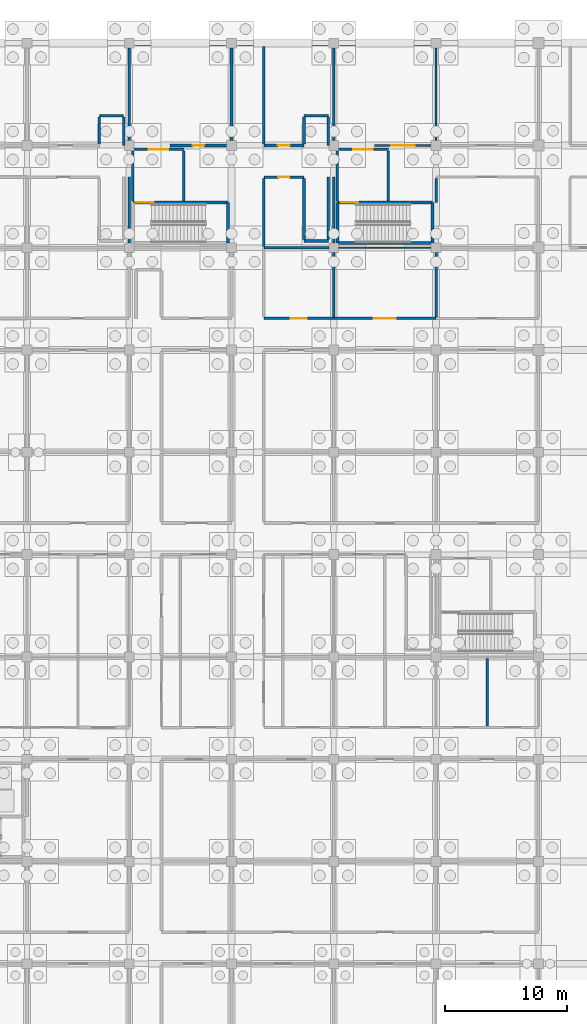
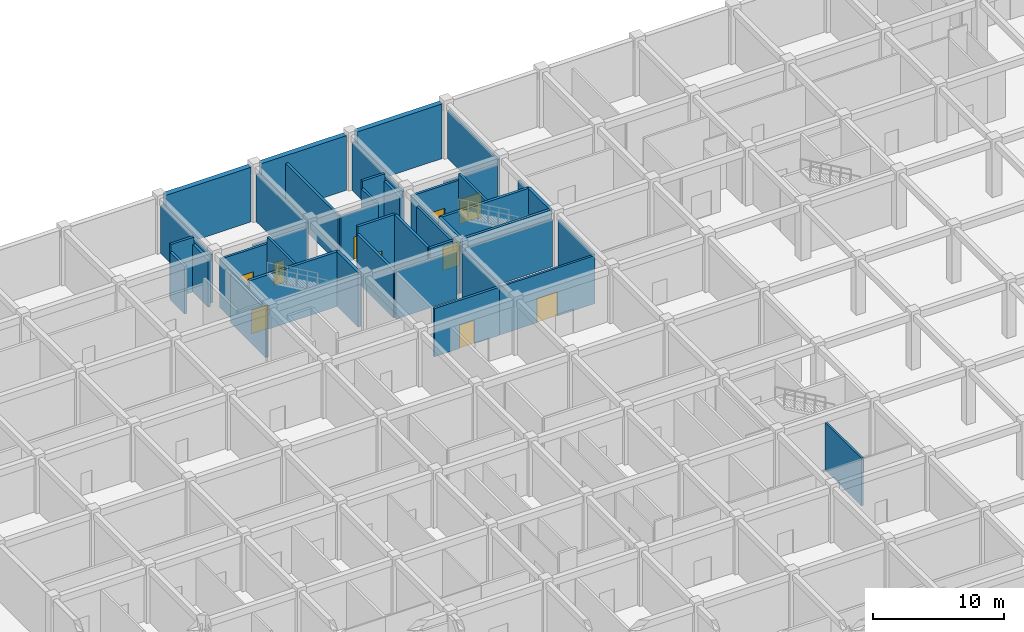
# One storey, part 40 of 65: 44 walls, 10 doors, 10 openings.
"""IFC4 building model written with IfcOpenShell, lengths in metres."""

from ifc_helpers import new_model, si_unit, direction, frame, frame_2d, origin, place, context, subcontext, project, spatial, rectangle, extrude, material, layer, layer_set, type_object, element, fill, save


model = new_model("IFC4")

# Units and contexts
model_context = context("Model", 3, precision=1e-05, world=origin(), true_north=direction((0.0, 1.0)))
body_context = subcontext(model_context, "Body", "Model", "MODEL_VIEW")
ifc_project = project(units=[si_unit("LENGTHUNIT", "METRE"), si_unit("AREAUNIT", "SQUARE_METRE"), si_unit("VOLUMEUNIT", "CUBIC_METRE"), si_unit("PLANEANGLEUNIT", "RADIAN"), si_unit("MASSUNIT", "GRAM", prefix="KILO")], contexts=[model_context])

# Site, building, storey
site_placement = place(None, origin())
site = spatial("IfcSite", under=ifc_project, at=site_placement, CompositionType="ELEMENT")
building_placement = place(site_placement, origin())
building = spatial("IfcBuilding", under=site, at=building_placement, Name="Bramfleet General Hospital", CompositionType="ELEMENT")
storey_placement = place(building_placement, frame((0.0, 0.0, -5.39990234375)))
storey = spatial("IfcBuildingStorey", under=building, at=storey_placement, Name="B1", CompositionType="ELEMENT", Elevation=-5.39990234375)

# Walls
ifc_material_1 = material(Name="Concrete C35/45", Category="concrete")
ifc_layer_1 = layer(ifc_material_1, 0.449951171875, Name="WT-EW-01")
ifc_layer_set_1 = layer_set([ifc_layer_1], Name="Concrete C35/45")
wall_type_1 = type_object("IfcWallType", Name="WT-EW-01", PredefinedType="SOLIDWALL", material=ifc_layer_set_1)
for number, where, z_axis, x_axis, name in (
    (1, (34.074951171875, 117.60009765625, 0.0), (0.0, 0.0, 1.0), (1.0, 0.0, 0.0), "B1 Waterproof Retaining Wall 12"),
    (2, (42.47509765625, 117.60009765625, 0.0), (0.0, 0.0, 1.0), (1.0, 0.0, 0.0), "B1 Waterproof Retaining Wall 13"),
    (3, (50.875, 117.60009765625, 0.0), (0.0, 0.0, 1.0), (1.0, 0.0, 0.0), "B1 Waterproof Retaining Wall 14"),
):
    element("IfcWall", number, at=place(storey_placement, frame(where, z_axis=z_axis, x_axis=x_axis)), inside=storey, type_object=wall_type_1, Name=name, PredefinedType="SOLIDWALL", context=body_context, shape_type="SweptSolid", body=[
        extrude(rectangle(XDim=7.449951171875, YDim=0.449951171875, at=frame_2d((3.72509765625, 0.0))), origin(), (0.0, 0.0, 1.0), 5.079833984375),
    ])

# Wall, opening, door
ifc_layer_2 = layer(ifc_material_1, 0.219970703125, Name="WT-IW-01")
ifc_layer_set_2 = layer_set([ifc_layer_2], Name="Concrete C35/45")
wall_type_2 = type_object("IfcWallType", Name="WT-IW-01", PredefinedType="PARTITIONING", material=ifc_layer_set_2)
wall_1_placement = place(storey_placement, frame((44.64990234375, 95.0, 0.0), z_axis=(0.0, 0.0, 1.0), x_axis=(1.0, 0.0, 0.0)))
wall_1 = element("IfcWall", 4, at=wall_1_placement, inside=storey, type_object=wall_type_2, Name="B1 Interior Partition IW-B1-0278", PredefinedType="PARTITIONING", context=body_context, shape_type="SweptSolid", body=[
    extrude(rectangle(XDim=5.75, YDim=0.219970703125, at=frame_2d((2.875, 0.0))), origin(), (0.0, 0.0, 1.0), 4.469970703125),
])
opening_1_placement = place(wall_1_placement, frame((2.215087890625, 0.0, 0.0)))
opening_1 = element("IfcOpeningElement", 5, at=opening_1_placement, cuts=wall_1, Name="Opening D0280", PredefinedType="OPENING", context=body_context, shape_type="SweptSolid", body=[
    extrude(rectangle(XDim=1.320068359375, YDim=2.179931640625, at=frame_2d((0.66015625, 1.08984375))), frame((0.0, 0.119873046875, 0.0), z_axis=(0.0, -1.0, 0.0), x_axis=(1.0, 0.0, 0.0)), (0.0, 0.0, 1.0), 0.239990234375),
])
ifc_material_2 = material(Name="Stainless steel and acoustic timber leaf", Category="steel")
door_type_1 = type_object("IfcDoorType", Name="DR-D-24", OperationType="NOTDEFINED", PredefinedType="DOOR", material=ifc_material_2)
door_1_placement = place(opening_1_placement, origin())
door_1 = element("IfcDoor", 6, at=door_1_placement, inside=storey, type_object=door_type_1, Name="Chiller and District Heating Plant B1-0511 Door D0280", OperationType="SINGLE_SWING_LEFT", OverallHeight=2.179931640625, OverallWidth=1.320068359375, PredefinedType="DOOR", context=body_context, shape_type="SweptSolid", body=[
    extrude(rectangle(XDim=1.320068359375, YDim=2.179931640625, at=frame_2d((0.66015625, 1.08984375))), frame((0.0, 0.02490234375, 0.0), z_axis=(0.0, -1.0, 0.0), x_axis=(1.0, 0.0, 0.0)), (0.0, 0.0, 1.0), 0.050048828125),
])
fill(opening_1, door_1)

# Walls
wall_2_placement = place(storey_placement, frame((44.64990234375, 100.800048828125, 0.0), z_axis=(0.0, 0.0, 1.0), x_axis=(1.0, 0.0, 0.0)))
element("IfcWall", 7, at=wall_2_placement, inside=storey, type_object=wall_type_2, Name="B1 Interior Partition IW-B1-0287", PredefinedType="PARTITIONING", context=body_context, shape_type="SweptSolid", body=[
    extrude(rectangle(XDim=5.35498046875, YDim=0.219970703125, at=frame_2d((2.677490234375, 0.0))), origin(), (0.0, 0.0, 1.0), 4.419921875),
])
wall_3_placement = place(storey_placement, frame((47.949951171875, 101.35009765625, 0.0), z_axis=(0.0, 0.0, 1.0), x_axis=(1.0, 0.0, 0.0)))
element("IfcWall", 8, at=wall_3_placement, inside=storey, type_object=wall_type_2, Name="B1 Interior Partition IW-B1-0296", PredefinedType="PARTITIONING", context=body_context, shape_type="SweptSolid", body=[
    extrude(rectangle(XDim=2.0, YDim=0.219970703125, at=frame_2d((1.0, 0.0))), origin(), (0.0, 0.0, 1.0), 5.06982421875),
])

# Wall, opening, door
wall_4_placement = place(storey_placement, frame((44.64990234375, 106.60009765625, 0.0), z_axis=(0.0, 0.0, 1.0), x_axis=(1.0, 0.0, 0.0)))
wall_4 = element("IfcWall", 9, at=wall_4_placement, inside=storey, type_object=wall_type_2, Name="B1 Interior Partition IW-B1-0302", PredefinedType="PARTITIONING", context=body_context, shape_type="SweptSolid", body=[
    extrude(rectangle(XDim=3.300048828125, YDim=0.219970703125, at=frame_2d((1.64990234375, 0.0))), origin(), (0.0, 0.0, 1.0), 5.06982421875),
])
opening_2_placement = place(wall_4_placement, frame((1.18994140625, 0.0, 0.0)))
opening_2 = element("IfcOpeningElement", 10, at=opening_2_placement, cuts=wall_4, Name="Opening D0281", PredefinedType="OPENING", context=body_context, shape_type="SweptSolid", body=[
    extrude(rectangle(XDim=0.919921875, YDim=2.080078125, at=frame_2d((0.4599609375, 1.0400390625))), frame((0.0, 0.119873046875, 0.0), z_axis=(0.0, -1.0, 0.0), x_axis=(1.0, 0.0, 0.0)), (0.0, 0.0, 1.0), 0.239990234375),
])
door_type_2 = type_object("IfcDoorType", Name="DR-D-25", OperationType="NOTDEFINED", PredefinedType="DOOR", material=ifc_material_2)
door_2_placement = place(opening_2_placement, origin())
door_2 = element("IfcDoor", 11, at=door_2_placement, inside=storey, type_object=door_type_2, Name="Chiller and District Heating Plant B1-0512 Door D0281", OperationType="SINGLE_SWING_RIGHT", OverallHeight=2.080078125, OverallWidth=0.919921875, PredefinedType="DOOR", context=body_context, shape_type="SweptSolid", body=[
    extrude(rectangle(XDim=0.919921875, YDim=2.080078125, at=frame_2d((0.4599609375, 1.0400390625))), frame((0.0, 0.02490234375, 0.0), z_axis=(0.0, -1.0, 0.0), x_axis=(1.0, 0.0, 0.0)), (0.0, 0.0, 1.0), 0.050048828125),
])
fill(opening_2, door_2)

wall_5_placement = place(storey_placement, frame((36.949951171875, 109.199951171875, 0.0), z_axis=(0.0, 0.0, 1.0), x_axis=(1.0, 0.0, 0.0)))
wall_5 = element("IfcWall", 12, at=wall_5_placement, inside=storey, type_object=wall_type_2, Name="B1 Interior Partition IW-B1-0313", PredefinedType="PARTITIONING", context=body_context, shape_type="SweptSolid", body=[
    extrude(rectangle(XDim=4.655029296875, YDim=0.219970703125, at=frame_2d((2.32763671875, 0.0))), origin(), (0.0, 0.0, 1.0), 4.419921875),
])
opening_3_placement = place(wall_5_placement, frame((1.8525390625, 0.0, 0.0)))
opening_3 = element("IfcOpeningElement", 13, at=opening_3_placement, cuts=wall_5, Name="Opening D0266", PredefinedType="OPENING", context=body_context, shape_type="SweptSolid", body=[
    extrude(rectangle(XDim=0.949951171875, YDim=2.10009765625, at=frame_2d((0.47509765625, 1.050048828125))), frame((0.0, 0.119873046875, 0.0), z_axis=(0.0, -1.0, 0.0), x_axis=(1.0, 0.0, 0.0)), (0.0, 0.0, 1.0), 0.239990234375),
])
door_type_3 = type_object("IfcDoorType", Name="DR-D-10", OperationType="NOTDEFINED", PredefinedType="DOOR", material=ifc_material_2)
door_3_placement = place(opening_3_placement, origin())
door_3 = element("IfcDoor", 14, at=door_3_placement, inside=storey, type_object=door_type_3, Name="Chiller and District Heating Plant B1-0413 Door D0266", OperationType="SINGLE_SWING_LEFT", OverallHeight=2.10009765625, OverallWidth=0.949951171875, PredefinedType="DOOR", context=body_context, shape_type="SweptSolid", body=[
    extrude(rectangle(XDim=0.949951171875, YDim=2.10009765625, at=frame_2d((0.47509765625, 1.050048828125))), frame((0.0, 0.02490234375, 0.0), z_axis=(0.0, -1.0, 0.0), x_axis=(1.0, 0.0, 0.0)), (0.0, 0.0, 1.0), 0.050048828125),
])
fill(opening_3, door_3)

wall_6_placement = place(storey_placement, frame((44.64990234375, 109.199951171875, 0.0), z_axis=(0.0, 0.0, 1.0), x_axis=(1.0, 0.0, 0.0)))
wall_6 = element("IfcWall", 15, at=wall_6_placement, inside=storey, type_object=wall_type_2, Name="B1 Interior Partition IW-B1-0314", PredefinedType="PARTITIONING", context=body_context, shape_type="SweptSolid", body=[
    extrude(rectangle(XDim=3.300048828125, YDim=0.219970703125, at=frame_2d((1.64990234375, 0.0))), origin(), (0.0, 0.0, 1.0), 4.419921875),
])
opening_4_placement = place(wall_6_placement, frame((1.159912109375, 0.0, 0.0)))
opening_4 = element("IfcOpeningElement", 16, at=opening_4_placement, cuts=wall_6, Name="Opening D0282", PredefinedType="OPENING", context=body_context, shape_type="SweptSolid", body=[
    extrude(rectangle(XDim=0.97998046875, YDim=2.1201171875, at=frame_2d((0.489990234375, 1.06005859375))), frame((0.0, 0.119873046875, 0.0), z_axis=(0.0, -1.0, 0.0), x_axis=(1.0, 0.0, 0.0)), (0.0, 0.0, 1.0), 0.239990234375),
])
door_type_4 = type_object("IfcDoorType", Name="DR-D-26", OperationType="NOTDEFINED", PredefinedType="DOOR", material=ifc_material_2)
door_4_placement = place(opening_4_placement, origin())
door_4 = element("IfcDoor", 17, at=door_4_placement, inside=storey, type_object=door_type_4, Name="Chiller and District Heating Plant B1-0513 Door D0282", OperationType="SINGLE_SWING_LEFT", OverallHeight=2.1201171875, OverallWidth=0.97998046875, PredefinedType="DOOR", context=body_context, shape_type="SweptSolid", body=[
    extrude(rectangle(XDim=0.97998046875, YDim=2.1201171875, at=frame_2d((0.489990234375, 1.06005859375))), frame((0.0, 0.02490234375, 0.0), z_axis=(0.0, -1.0, 0.0), x_axis=(1.0, 0.0, 0.0)), (0.0, 0.0, 1.0), 0.050048828125),
])
fill(opening_4, door_4)

# Walls
for number, where, z_axis, x_axis, name in (
    (18, (31.14990234375, 111.64990234375, 0.0), (0.0, 0.0, 1.0), (1.0, 0.0, 0.0), "B1 Interior Partition IW-B1-0322"),
    (19, (47.949951171875, 111.64990234375, 0.0), (0.0, 0.0, 1.0), (1.0, 0.0, 0.0), "B1 Interior Partition IW-B1-0323"),
):
    element("IfcWall", number, at=place(storey_placement, frame(where, z_axis=z_axis, x_axis=x_axis)), inside=storey, type_object=wall_type_2, Name=name, PredefinedType="PARTITIONING", context=body_context, shape_type="SweptSolid", body=[
        extrude(rectangle(XDim=2.0, YDim=0.219970703125, at=frame_2d((1.0, 0.0))), origin(), (0.0, 0.0, 1.0), 5.06982421875),
    ])
wall_7_placement = place(storey_placement, frame((31.14990234375, 109.31494140625, 0.0), z_axis=(0.0, 0.0, 1.0), x_axis=(0.0, 1.0, 0.0)))
element("IfcWall", 20, at=wall_7_placement, inside=storey, type_object=wall_type_2, Name="B1 Interior Partition IW-B1-0384", PredefinedType="PARTITIONING", context=body_context, shape_type="SweptSolid", body=[
    extrude(rectangle(XDim=2.219970703125, YDim=0.219970703125, at=frame_2d((1.10986328125, 0.0))), origin(), (0.0, 0.0, 1.0), 4.419921875),
])
wall_8_placement = place(storey_placement, frame((33.14990234375, 109.199951171875, 0.0), z_axis=(0.0, 0.0, 1.0), x_axis=(0.0, 1.0, 0.0)))
element("IfcWall", 21, at=wall_8_placement, inside=storey, type_object=wall_type_2, Name="B1 Interior Partition IW-B1-0386", PredefinedType="PARTITIONING", context=body_context, shape_type="SweptSolid", body=[
    extrude(rectangle(XDim=2.3349609375, YDim=0.219970703125, at=frame_2d((1.16748046875, 0.0))), origin(), (0.0, 0.0, 1.0), 4.419921875),
])
wall_9_placement = place(storey_placement, frame((33.60009765625, 101.195068359375, 0.0), z_axis=(0.0, 0.0, 1.0), x_axis=(0.0, 1.0, 0.0)))
element("IfcWall", 22, at=wall_9_placement, inside=storey, type_object=wall_type_2, Name="B1 Interior Partition IW-B1-0398", PredefinedType="PARTITIONING", context=body_context, shape_type="SweptSolid", body=[
    extrude(rectangle(XDim=5.405029296875, YDim=0.219970703125, at=frame_2d((2.70263671875, 0.0))), origin(), (0.0, 0.0, 1.0), 4.469970703125),
])
for number, where, z_axis, x_axis, name in (
    (23, (33.60009765625, 109.594970703125, 0.0), (0.0, 0.0, 1.0), (0.0, 1.0, 0.0), "B1 Interior Partition IW-B1-0399"),
    (24, (42.0, 109.594970703125, 0.0), (0.0, 0.0, 1.0), (0.0, 1.0, 0.0), "B1 Interior Partition IW-B1-0427"),
):
    element("IfcWall", number, at=place(storey_placement, frame(where, z_axis=z_axis, x_axis=x_axis)), inside=storey, type_object=wall_type_2, Name=name, PredefinedType="PARTITIONING", context=body_context, shape_type="SweptSolid", body=[
        extrude(rectangle(XDim=7.610107421875, YDim=0.219970703125, at=frame_2d((3.80517578125, 0.0))), origin(), (0.0, 0.0, 1.0), 4.469970703125),
    ])
wall_10_placement = place(storey_placement, frame((44.64990234375, 100.9150390625, 0.0), z_axis=(0.0, 0.0, 1.0), x_axis=(0.0, 1.0, 0.0)))
element("IfcWall", 25, at=wall_10_placement, inside=storey, type_object=wall_type_2, Name="B1 Interior Partition IW-B1-0433", PredefinedType="PARTITIONING", context=body_context, shape_type="SweptSolid", body=[
    extrude(rectangle(XDim=5.570068359375, YDim=0.219970703125, at=frame_2d((2.78515625, 0.0))), origin(), (0.0, 0.0, 1.0), 4.419921875),
])
wall_11_placement = place(storey_placement, frame((44.64990234375, 109.31494140625, 0.0), z_axis=(0.0, 0.0, 1.0), x_axis=(0.0, 1.0, 0.0)))
element("IfcWall", 26, at=wall_11_placement, inside=storey, type_object=wall_type_2, Name="B1 Interior Partition IW-B1-0434", PredefinedType="PARTITIONING", context=body_context, shape_type="SweptSolid", body=[
    extrude(rectangle(XDim=8.005126953125, YDim=0.219970703125, at=frame_2d((4.00244140625, 0.0))), origin(), (0.0, 0.0, 1.0), 4.419921875),
])
wall_12_placement = place(storey_placement, frame((47.949951171875, 101.465087890625, 0.0), z_axis=(0.0, 0.0, 1.0), x_axis=(0.0, 1.0, 0.0)))
element("IfcWall", 27, at=wall_12_placement, inside=storey, type_object=wall_type_2, Name="B1 Interior Partition IW-B1-0439", PredefinedType="PARTITIONING", context=body_context, shape_type="SweptSolid", body=[
    extrude(rectangle(XDim=5.02001953125, YDim=0.219970703125, at=frame_2d((2.510009765625, 0.0))), origin(), (0.0, 0.0, 1.0), 5.06982421875),
])
wall_13_placement = place(storey_placement, frame((47.949951171875, 109.31494140625, 0.0), z_axis=(0.0, 0.0, 1.0), x_axis=(0.0, 1.0, 0.0)))
element("IfcWall", 28, at=wall_13_placement, inside=storey, type_object=wall_type_2, Name="B1 Interior Partition IW-B1-0440", PredefinedType="PARTITIONING", context=body_context, shape_type="SweptSolid", body=[
    extrude(rectangle(XDim=2.219970703125, YDim=0.219970703125, at=frame_2d((1.10986328125, 0.0))), origin(), (0.0, 0.0, 1.0), 4.419921875),
])
wall_14_placement = place(storey_placement, frame((49.949951171875, 101.465087890625, 0.0), z_axis=(0.0, 0.0, 1.0), x_axis=(0.0, 1.0, 0.0)))
element("IfcWall", 29, at=wall_14_placement, inside=storey, type_object=wall_type_2, Name="B1 Interior Partition IW-B1-0443", PredefinedType="PARTITIONING", context=body_context, shape_type="SweptSolid", body=[
    extrude(rectangle(XDim=5.135009765625, YDim=0.219970703125, at=frame_2d((2.5673828125, 0.0))), origin(), (0.0, 0.0, 1.0), 5.06982421875),
])
wall_15_placement = place(storey_placement, frame((49.949951171875, 109.199951171875, 0.0), z_axis=(0.0, 0.0, 1.0), x_axis=(0.0, 1.0, 0.0)))
element("IfcWall", 30, at=wall_15_placement, inside=storey, type_object=wall_type_2, Name="B1 Interior Partition IW-B1-0444", PredefinedType="PARTITIONING", context=body_context, shape_type="SweptSolid", body=[
    extrude(rectangle(XDim=2.3349609375, YDim=0.219970703125, at=frame_2d((1.16748046875, 0.0))), origin(), (0.0, 0.0, 1.0), 4.419921875),
])
wall_16_placement = place(storey_placement, frame((50.39990234375, 95.114990234375, 0.0), z_axis=(0.0, 0.0, 1.0), x_axis=(0.0, 1.0, 0.0)))
element("IfcWall", 31, at=wall_16_placement, inside=storey, type_object=wall_type_2, Name="B1 Interior Partition IW-B1-0454", PredefinedType="PARTITIONING", context=body_context, shape_type="SweptSolid", body=[
    extrude(rectangle(XDim=5.2900390625, YDim=0.219970703125, at=frame_2d((2.64501953125, 0.0))), origin(), (0.0, 0.0, 1.0), 4.469970703125),
])
wall_17_placement = place(storey_placement, frame((50.39990234375, 101.195068359375, 0.0), z_axis=(0.0, 0.0, 1.0), x_axis=(0.0, 1.0, 0.0)))
element("IfcWall", 32, at=wall_17_placement, inside=storey, type_object=wall_type_2, Name="B1 Interior Partition IW-B1-0455", PredefinedType="PARTITIONING", context=body_context, shape_type="SweptSolid", body=[
    extrude(rectangle(XDim=5.405029296875, YDim=0.219970703125, at=frame_2d((2.70263671875, 0.0))), origin(), (0.0, 0.0, 1.0), 4.469970703125),
])
wall_18_placement = place(storey_placement, frame((50.39990234375, 109.594970703125, 0.0), z_axis=(0.0, 0.0, 1.0), x_axis=(0.0, 1.0, 0.0)))
element("IfcWall", 33, at=wall_18_placement, inside=storey, type_object=wall_type_2, Name="B1 Interior Partition IW-B1-0456", PredefinedType="PARTITIONING", context=body_context, shape_type="SweptSolid", body=[
    extrude(rectangle(XDim=7.610107421875, YDim=0.219970703125, at=frame_2d((3.80517578125, 0.0))), origin(), (0.0, 0.0, 1.0), 4.469970703125),
])
ifc_layer_3 = layer(ifc_material_1, 0.205078125, Name="WT-IW-02")
ifc_layer_set_3 = layer_set([ifc_layer_3], Name="Concrete C35/45")
wall_type_3 = type_object("IfcWallType", Name="WT-IW-02", PredefinedType="PARTITIONING", material=ifc_layer_set_3)
wall_19_placement = place(storey_placement, frame((38.080078125, 104.639892578125, 0.0), z_axis=(0.0, 0.0, 1.0), x_axis=(0.0, 1.0, 0.0)))
element("IfcWall", 34, at=wall_19_placement, inside=storey, type_object=wall_type_3, Name="B1 C8 Lobby East Shaft Wall", PredefinedType="PARTITIONING", context=body_context, shape_type="SweptSolid", body=[
    extrude(rectangle(XDim=4.1201171875, YDim=0.205078125, at=frame_2d((2.06005859375, 0.0))), origin(), (0.0, 0.0, 1.0), 5.06982421875),
])
wall_20_placement = place(storey_placement, frame((33.89990234375, 104.639892578125, 0.0), z_axis=(0.0, 0.0, 1.0), x_axis=(0.0, 1.0, 0.0)))
element("IfcWall", 35, at=wall_20_placement, inside=storey, type_object=wall_type_3, Name="B1 C8 Lobby West Compartment Wall", PredefinedType="PARTITIONING", context=body_context, shape_type="SweptSolid", body=[
    extrude(rectangle(XDim=4.1201171875, YDim=0.205078125, at=frame_2d((2.06005859375, 0.0))), origin(), (0.0, 0.0, 1.0), 4.469970703125),
])

# Wall, opening, door
wall_21_placement = place(storey_placement, frame((33.89990234375, 108.8798828125, 0.0), z_axis=(0.0, 0.0, 1.0), x_axis=(1.0, 0.0, 0.0)))
wall_21 = element("IfcWall", 36, at=wall_21_placement, inside=storey, type_object=wall_type_3, Name="B1 C8 Lobby North Compartment Wall", PredefinedType="PARTITIONING", context=body_context, shape_type="SweptSolid", body=[
    extrude(rectangle(XDim=4.18017578125, YDim=0.205078125, at=frame_2d((2.090087890625, 0.0))), origin(), (0.0, 0.0, 1.0), 4.419921875),
])
opening_5_placement = place(wall_21_placement, frame((1.2900390625, 0.0, 0.0)))
opening_5 = element("IfcOpeningElement", 37, at=opening_5_placement, cuts=wall_21, Name="Opening D0098", PredefinedType="OPENING", context=body_context, shape_type="SweptSolid", body=[
    extrude(rectangle(XDim=1.60009765625, YDim=2.25, at=frame_2d((0.800048828125, 1.125))), frame((0.0, 0.112548828125, 0.0), z_axis=(0.0, -1.0, 0.0), x_axis=(1.0, 0.0, 0.0)), (0.0, 0.0, 1.0), 0.22509765625),
])
door_type_5 = type_object("IfcDoorType", Name="DR-D-04", OperationType="NOTDEFINED", PredefinedType="DOOR", material=ifc_material_2)
door_5_placement = place(opening_5_placement, origin())
door_5 = element("IfcDoor", 38, at=door_5_placement, inside=storey, type_object=door_type_5, Name="B1 C8 Lobby Fire Door D0098", OperationType="DOUBLE_SWING_LEFT", OverallHeight=2.25, OverallWidth=1.60009765625, PredefinedType="DOOR", context=body_context, shape_type="SweptSolid", body=[
    extrude(rectangle(XDim=1.60009765625, YDim=2.25, at=frame_2d((0.800048828125, 1.125))), frame((0.0, 0.02490234375, 0.0), z_axis=(0.0, -1.0, 0.0), x_axis=(1.0, 0.0, 0.0)), (0.0, 0.0, 1.0), 0.050048828125),
])
fill(opening_5, door_5)

# Walls
wall_22_placement = place(storey_placement, frame((54.8798828125, 104.639892578125, 0.0), z_axis=(0.0, 0.0, 1.0), x_axis=(0.0, 1.0, 0.0)))
element("IfcWall", 39, at=wall_22_placement, inside=storey, type_object=wall_type_3, Name="B1 C14 Lobby East Shaft Wall", PredefinedType="PARTITIONING", context=body_context, shape_type="SweptSolid", body=[
    extrude(rectangle(XDim=4.1201171875, YDim=0.205078125, at=frame_2d((2.06005859375, 0.0))), origin(), (0.0, 0.0, 1.0), 5.06982421875),
])
wall_23_placement = place(storey_placement, frame((50.699951171875, 104.639892578125, 0.0), z_axis=(0.0, 0.0, 1.0), x_axis=(0.0, 1.0, 0.0)))
element("IfcWall", 40, at=wall_23_placement, inside=storey, type_object=wall_type_3, Name="B1 C14 Lobby West Compartment Wall", PredefinedType="PARTITIONING", context=body_context, shape_type="SweptSolid", body=[
    extrude(rectangle(XDim=4.1201171875, YDim=0.205078125, at=frame_2d((2.06005859375, 0.0))), origin(), (0.0, 0.0, 1.0), 4.469970703125),
])

# Wall, opening, door
wall_24_placement = place(storey_placement, frame((50.699951171875, 108.8798828125, 0.0), z_axis=(0.0, 0.0, 1.0), x_axis=(1.0, 0.0, 0.0)))
wall_24 = element("IfcWall", 41, at=wall_24_placement, inside=storey, type_object=wall_type_3, Name="B1 C14 Lobby North Compartment Wall", PredefinedType="PARTITIONING", context=body_context, shape_type="SweptSolid", body=[
    extrude(rectangle(XDim=4.179931640625, YDim=0.205078125, at=frame_2d((2.08984375, 0.0))), origin(), (0.0, 0.0, 1.0), 4.419921875),
])
opening_6_placement = place(wall_24_placement, frame((1.2900390625, 0.0, 0.0)))
opening_6 = element("IfcOpeningElement", 42, at=opening_6_placement, cuts=wall_24, Name="Opening D0176", PredefinedType="OPENING", context=body_context, shape_type="SweptSolid", body=[
    extrude(rectangle(XDim=1.60009765625, YDim=2.25, at=frame_2d((0.800048828125, 1.125))), frame((0.0, 0.112548828125, 0.0), z_axis=(0.0, -1.0, 0.0), x_axis=(1.0, 0.0, 0.0)), (0.0, 0.0, 1.0), 0.22509765625),
])
door_6_placement = place(opening_6_placement, origin())
door_6 = element("IfcDoor", 43, at=door_6_placement, inside=storey, type_object=door_type_5, Name="B1 C14 Lobby Fire Door D0176", OperationType="DOUBLE_SWING_LEFT", OverallHeight=2.25, OverallWidth=1.60009765625, PredefinedType="DOOR", context=body_context, shape_type="SweptSolid", body=[
    extrude(rectangle(XDim=1.60009765625, YDim=2.25, at=frame_2d((0.800048828125, 1.125))), frame((0.0, 0.02490234375, 0.0), z_axis=(0.0, -1.0, 0.0), x_axis=(1.0, 0.0, 0.0)), (0.0, 0.0, 1.0), 0.050048828125),
])
fill(opening_6, door_6)

# Wall
wall_25_placement = place(storey_placement, frame((58.800048828125, 95.114990234375, 0.0), z_axis=(0.0, 0.0, 1.0), x_axis=(0.0, 1.0, 0.0)))
element("IfcWall", 44, at=wall_25_placement, inside=storey, type_object=wall_type_3, Name="B1 Interior Partition IW-B1-0470", PredefinedType="PARTITIONING", context=body_context, shape_type="SweptSolid", body=[
    extrude(rectangle(XDim=5.2900390625, YDim=0.205078125, at=frame_2d((2.64501953125, 0.0))), origin(), (0.0, 0.0, 1.0), 4.469970703125),
])

# Wall, opening, door
ifc_layer_4 = layer(ifc_material_1, 0.18994140625, Name="WT-IW-03")
ifc_layer_set_4 = layer_set([ifc_layer_4], Name="Concrete C35/45")
wall_type_4 = type_object("IfcWallType", Name="WT-IW-03", PredefinedType="PARTITIONING", material=ifc_layer_set_4)
wall_26_placement = place(storey_placement, frame((50.39990234375, 95.0, 0.0), z_axis=(0.0, 0.0, 1.0), x_axis=(1.0, 0.0, 0.0)))
wall_26 = element("IfcWall", 45, at=wall_26_placement, inside=storey, type_object=wall_type_4, Name="B1 Interior Partition IW-B1-0279", PredefinedType="PARTITIONING", context=body_context, shape_type="SweptSolid", body=[
    extrude(rectangle(XDim=8.400146484375, YDim=0.18994140625, at=frame_2d((4.2001953125, 0.0))), origin(), (0.0, 0.0, 1.0), 4.469970703125),
])
opening_7_placement = place(wall_26_placement, frame((3.300048828125, 0.0, 0.0)))
opening_7 = element("IfcOpeningElement", 46, at=opening_7_placement, cuts=wall_26, Name="Opening D0293", PredefinedType="OPENING", context=body_context, shape_type="SweptSolid", body=[
    extrude(rectangle(XDim=1.800048828125, YDim=2.25, at=frame_2d((0.89990234375, 1.125))), frame((0.0, 0.10498046875, 0.0), z_axis=(0.0, -1.0, 0.0), x_axis=(1.0, 0.0, 0.0)), (0.0, 0.0, 1.0), 0.2099609375),
])
door_type_6 = type_object("IfcDoorType", Name="DR-D-05", OperationType="NOTDEFINED", PredefinedType="DOOR", material=ifc_material_2)
door_7_placement = place(opening_7_placement, origin())
door_7 = element("IfcDoor", 47, at=door_7_placement, inside=storey, type_object=door_type_6, Name="Pharmacy Compact Storage and Medical Archive B1-0611 Door D0293", OperationType="DOUBLE_SWING_RIGHT", OverallHeight=2.25, OverallWidth=1.800048828125, PredefinedType="DOOR", context=body_context, shape_type="SweptSolid", body=[
    extrude(rectangle(XDim=1.800048828125, YDim=2.25, at=frame_2d((0.89990234375, 1.125))), frame((0.0, 0.02490234375, 0.0), z_axis=(0.0, -1.0, 0.0), x_axis=(1.0, 0.0, 0.0)), (0.0, 0.0, 1.0), 0.050048828125),
])
fill(opening_7, door_7)

wall_27_placement = place(storey_placement, frame((53.75, 109.199951171875, 0.0), z_axis=(0.0, 0.0, 1.0), x_axis=(1.0, 0.0, 0.0)))
wall_27 = element("IfcWall", 48, at=wall_27_placement, inside=storey, type_object=wall_type_4, Name="B1 Interior Partition IW-B1-0315", PredefinedType="PARTITIONING", context=body_context, shape_type="SweptSolid", body=[
    extrude(rectangle(XDim=4.655029296875, YDim=0.18994140625, at=frame_2d((2.32763671875, 0.0))), origin(), (0.0, 0.0, 1.0), 4.419921875),
])
opening_8_placement = place(wall_27_placement, frame((1.37744140625, 0.0, 0.0)))
opening_8 = element("IfcOpeningElement", 49, at=opening_8_placement, cuts=wall_27, Name="Opening D0294", PredefinedType="OPENING", context=body_context, shape_type="SweptSolid", body=[
    extrude(rectangle(XDim=1.89990234375, YDim=2.300048828125, at=frame_2d((0.949951171875, 1.14990234375))), frame((0.0, 0.10498046875, 0.0), z_axis=(0.0, -1.0, 0.0), x_axis=(1.0, 0.0, 0.0)), (0.0, 0.0, 1.0), 0.2099609375),
])
door_type_7 = type_object("IfcDoorType", Name="DR-D-06", OperationType="NOTDEFINED", PredefinedType="DOOR", material=ifc_material_2)
door_8_placement = place(opening_8_placement, origin())
door_8 = element("IfcDoor", 50, at=door_8_placement, inside=storey, type_object=door_type_7, Name="Pharmacy Compact Storage and Medical Archive B1-0613 Door D0294", OperationType="DOUBLE_SWING_LEFT", OverallHeight=2.300048828125, OverallWidth=1.89990234375, PredefinedType="DOOR", context=body_context, shape_type="SweptSolid", body=[
    extrude(rectangle(XDim=1.89990234375, YDim=2.300048828125, at=frame_2d((0.949951171875, 1.14990234375))), frame((0.0, 0.02490234375, 0.0), z_axis=(0.0, -1.0, 0.0), x_axis=(1.0, 0.0, 0.0)), (0.0, 0.0, 1.0), 0.050048828125),
])
fill(opening_8, door_8)

# Walls
wall_28_placement = place(storey_placement, frame((58.800048828125, 104.5, 0.0), z_axis=(0.0, 0.0, 1.0), x_axis=(0.0, 1.0, 0.0)))
element("IfcWall", 51, at=wall_28_placement, inside=storey, type_object=wall_type_4, Name="B1 Interior Partition IW-B1-0471", PredefinedType="PARTITIONING", context=body_context, shape_type="SweptSolid", body=[
    extrude(rectangle(XDim=1.985107421875, YDim=0.18994140625, at=frame_2d((0.99267578125, 0.0))), origin(), (0.0, 0.0, 1.0), 4.469970703125),
])
ifc_layer_5 = layer(ifc_material_1, 0.179931640625, Name="WT-IW-04")
ifc_layer_set_5 = layer_set([ifc_layer_5], Name="Concrete C35/45")
wall_type_5 = type_object("IfcWallType", Name="WT-IW-04", PredefinedType="PARTITIONING", material=ifc_layer_set_5)
wall_29_placement = place(storey_placement, frame((58.800048828125, 109.594970703125, 0.0), z_axis=(0.0, 0.0, 1.0), x_axis=(0.0, 1.0, 0.0)))
element("IfcWall", 52, at=wall_29_placement, inside=storey, type_object=wall_type_5, Name="B1 Interior Partition IW-B1-0472", PredefinedType="PARTITIONING", context=body_context, shape_type="SweptSolid", body=[
    extrude(rectangle(XDim=7.610107421875, YDim=0.179931640625, at=frame_2d((3.80517578125, 0.0))), origin(), (0.0, 0.0, 1.0), 4.469970703125),
])
ifc_material_3 = material(Name="Gypsum plasterboard on acoustic steel studs", Category="steel")
ifc_layer_6 = layer(ifc_material_3, 0.169921875, Name="WT-IW-05")
ifc_layer_set_6 = layer_set([ifc_layer_6], Name="Gypsum plasterboard on acoustic steel studs")
wall_type_6 = type_object("IfcWallType", Name="WT-IW-05", PredefinedType="PARTITIONING", material=ifc_layer_set_6)
wall_30_placement = place(storey_placement, frame((63.0, 61.514892578125, 0.0), z_axis=(0.0, 0.0, 1.0), x_axis=(0.0, 1.0, 0.0)))
element("IfcWall", 53, at=wall_30_placement, inside=storey, type_object=wall_type_6, Name="B1 Interior Partition IW-B1-0473", PredefinedType="PARTITIONING", context=body_context, shape_type="SweptSolid", body=[
    extrude(rectangle(XDim=5.570068359375, YDim=0.169921875, at=frame_2d((2.78515625, 0.0))), origin(), (0.0, 0.0, 1.0), 4.419921875),
])
ifc_layer_7 = layer(ifc_material_3, 0.10009765625, Name="WT-IW-12")
ifc_layer_set_7 = layer_set([ifc_layer_7], Name="Gypsum plasterboard on acoustic steel studs")
wall_type_7 = type_object("IfcWallType", Name="WT-IW-12", PredefinedType="PARTITIONING", material=ifc_layer_set_7)
wall_31_placement = place(storey_placement, frame((50.794921875, 100.800048828125, 0.0), z_axis=(0.0, 0.0, 1.0), x_axis=(1.0, 0.0, 0.0)))
element("IfcWall", 54, at=wall_31_placement, inside=storey, type_object=wall_type_7, Name="B1 Interior Partition IW-B1-0288", PredefinedType="PARTITIONING", context=body_context, shape_type="SweptSolid", body=[
    extrude(rectangle(XDim=7.610107421875, YDim=0.10009765625, at=frame_2d((3.80517578125, 0.0))), origin(), (0.0, 0.0, 1.0), 4.419921875),
])
ifc_material_4 = material(Name="Concrete C40/50", Category="concrete")
ifc_layer_8 = layer(ifc_material_4, 0.239990234375, Name="WT-SW-240")
ifc_layer_set_8 = layer_set([ifc_layer_8], Name="Concrete C40/50")
wall_type_8 = type_object("IfcWallType", Name="WT-SW-240", PredefinedType="SHEAR", material=ifc_layer_set_8)
wall_32_placement = place(storey_placement, frame((41.719970703125, 101.179931640625, 0.0), z_axis=(0.0, 0.0, 1.0), x_axis=(0.0, 1.0, 0.0)))
element("IfcWall", 55, at=wall_32_placement, inside=storey, type_object=wall_type_8, Name="B1 C8 East Stair Shear Wall", PredefinedType="SHEAR", context=body_context, shape_type="SweptSolid", body=[
    extrude(rectangle(XDim=3.320068359375, YDim=0.239990234375, at=frame_2d((1.66015625, 0.0))), origin(), (0.0, 0.0, 1.0), 5.079833984375),
])

# Wall, opening, door
wall_33_placement = place(storey_placement, frame((33.89990234375, 104.5, 0.0), z_axis=(0.0, 0.0, 1.0), x_axis=(1.0, 0.0, 0.0)))
wall_33 = element("IfcWall", 56, at=wall_33_placement, inside=storey, type_object=wall_type_8, Name="B1 C8 Stair-Lobby Shear Wall", PredefinedType="SHEAR", context=body_context, shape_type="SweptSolid", body=[
    extrude(rectangle(XDim=7.820068359375, YDim=0.239990234375, at=frame_2d((3.91015625, 0.0))), origin(), (0.0, 0.0, 1.0), 5.079833984375),
])
opening_9_placement = place(wall_33_placement, frame((0.25, 0.0, 0.0)))
opening_9 = element("IfcOpeningElement", 57, at=opening_9_placement, cuts=wall_33, Name="Opening D0097", PredefinedType="OPENING", context=body_context, shape_type="SweptSolid", body=[
    extrude(rectangle(XDim=1.449951171875, YDim=2.199951171875, at=frame_2d((0.72509765625, 1.10009765625))), frame((0.0, 0.1298828125, 0.0), z_axis=(0.0, -1.0, 0.0), x_axis=(1.0, 0.0, 0.0)), (0.0, 0.0, 1.0), 0.260009765625),
])
door_type_8 = type_object("IfcDoorType", Name="DR-D-03", OperationType="NOTDEFINED", PredefinedType="DOOR", material=ifc_material_2)
door_9_placement = place(opening_9_placement, origin())
door_9 = element("IfcDoor", 58, at=door_9_placement, inside=storey, type_object=door_type_8, Name="B1 C8 Escape Stair Fire Door D0097", OperationType="SINGLE_SWING_RIGHT", OverallHeight=2.199951171875, OverallWidth=1.449951171875, PredefinedType="DOOR", context=body_context, shape_type="SweptSolid", body=[
    extrude(rectangle(XDim=1.449951171875, YDim=2.199951171875, at=frame_2d((0.72509765625, 1.10009765625))), frame((0.0, 0.02490234375, 0.0), z_axis=(0.0, -1.0, 0.0), x_axis=(1.0, 0.0, 0.0)), (0.0, 0.0, 1.0), 0.050048828125),
])
fill(opening_9, door_9)

# Walls
wall_34_placement = place(storey_placement, frame((50.699951171875, 101.179931640625, 0.0), z_axis=(0.0, 0.0, 1.0), x_axis=(1.0, 0.0, 0.0)))
element("IfcWall", 59, at=wall_34_placement, inside=storey, type_object=wall_type_8, Name="B1 C14 South Stair Shear Wall", PredefinedType="SHEAR", context=body_context, shape_type="SweptSolid", body=[
    extrude(rectangle(XDim=7.820068359375, YDim=0.239990234375, at=frame_2d((3.91015625, 0.0))), origin(), (0.0, 0.0, 1.0), 5.079833984375),
])
for number, where, z_axis, x_axis, name in (
    (60, (50.699951171875, 101.179931640625, 0.0), (0.0, 0.0, 1.0), (0.0, 1.0, 0.0), "B1 C14 West Stair Shear Wall"),
    (61, (58.52001953125, 101.179931640625, 0.0), (0.0, 0.0, 1.0), (0.0, 1.0, 0.0), "B1 C14 East Stair Shear Wall"),
):
    element("IfcWall", number, at=place(storey_placement, frame(where, z_axis=z_axis, x_axis=x_axis)), inside=storey, type_object=wall_type_8, Name=name, PredefinedType="SHEAR", context=body_context, shape_type="SweptSolid", body=[
        extrude(rectangle(XDim=3.320068359375, YDim=0.239990234375, at=frame_2d((1.66015625, 0.0))), origin(), (0.0, 0.0, 1.0), 5.079833984375),
    ])

# Wall, opening, door
wall_35_placement = place(storey_placement, frame((50.699951171875, 104.5, 0.0), z_axis=(0.0, 0.0, 1.0), x_axis=(1.0, 0.0, 0.0)))
wall_35 = element("IfcWall", 62, at=wall_35_placement, inside=storey, type_object=wall_type_8, Name="B1 C14 Stair-Lobby Shear Wall", PredefinedType="SHEAR", context=body_context, shape_type="SweptSolid", body=[
    extrude(rectangle(XDim=7.820068359375, YDim=0.239990234375, at=frame_2d((3.91015625, 0.0))), origin(), (0.0, 0.0, 1.0), 5.079833984375),
])
opening_10_placement = place(wall_35_placement, frame((0.25, 0.0, 0.0)))
opening_10 = element("IfcOpeningElement", 63, at=opening_10_placement, cuts=wall_35, Name="Opening D0175", PredefinedType="OPENING", context=body_context, shape_type="SweptSolid", body=[
    extrude(rectangle(XDim=1.449951171875, YDim=2.199951171875, at=frame_2d((0.72509765625, 1.10009765625))), frame((0.0, 0.1298828125, 0.0), z_axis=(0.0, -1.0, 0.0), x_axis=(1.0, 0.0, 0.0)), (0.0, 0.0, 1.0), 0.260009765625),
])
door_10_placement = place(opening_10_placement, origin())
door_10 = element("IfcDoor", 64, at=door_10_placement, inside=storey, type_object=door_type_8, Name="B1 C14 Escape Stair Fire Door D0175", OperationType="SINGLE_SWING_RIGHT", OverallHeight=2.199951171875, OverallWidth=1.449951171875, PredefinedType="DOOR", context=body_context, shape_type="SweptSolid", body=[
    extrude(rectangle(XDim=1.449951171875, YDim=2.199951171875, at=frame_2d((0.72509765625, 1.10009765625))), frame((0.0, 0.02490234375, 0.0), z_axis=(0.0, -1.0, 0.0), x_axis=(1.0, 0.0, 0.0)), (0.0, 0.0, 1.0), 0.050048828125),
])
fill(opening_10, door_10)

save(model, "model.ifc")
